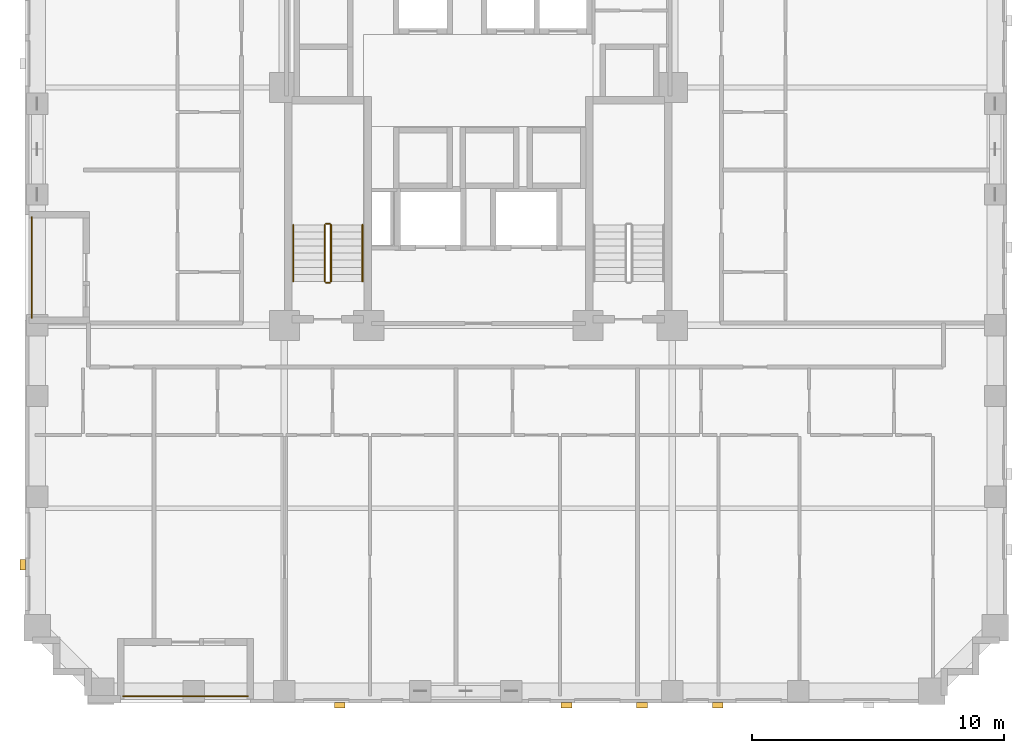
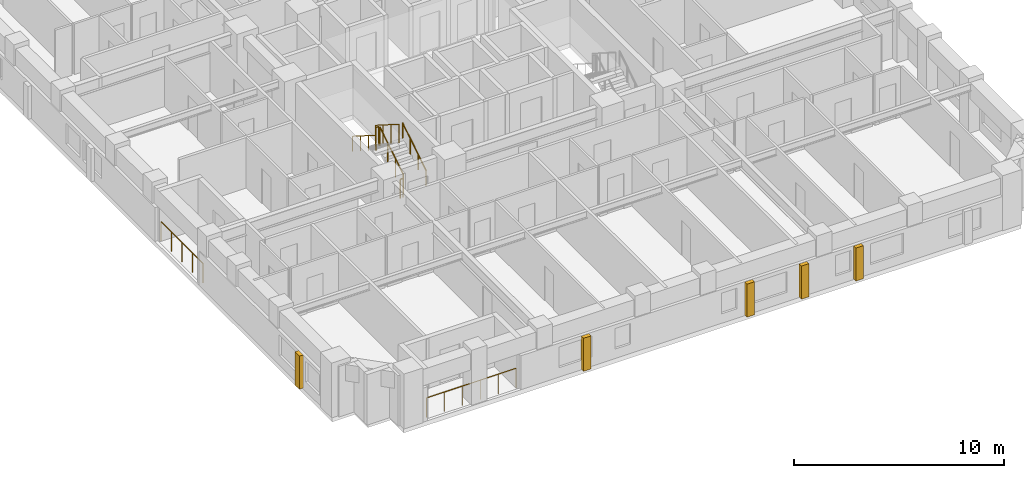
# One storey, part 12 of 14: 8 railings, 5 coverings.
"""IFC4 building model written with IfcOpenShell, lengths in metres."""

from ifc_helpers import new_model, si_unit, derived_unit, direction, frame, origin, origin_2d, place, context, subcontext, project, spatial, rectangle, circle, extrude, material, layer, layer_set, type_object, element, save


model = new_model("IFC4")

# Units and contexts
model_context = context("Model", 3, precision=1e-05, world=origin(), true_north=direction((0.0, 1.0)))
body_context = subcontext(model_context, "Body", "Model", "MODEL_VIEW")
ifc_project = project(units=[si_unit("LENGTHUNIT", "METRE"), si_unit("AREAUNIT", "SQUARE_METRE"), si_unit("VOLUMEUNIT", "CUBIC_METRE"), si_unit("PLANEANGLEUNIT", "RADIAN"), si_unit("MASSUNIT", "GRAM", prefix="KILO"), derived_unit("THERMALTRANSMITTANCEUNIT", [(si_unit("MASSUNIT", "GRAM", prefix="KILO"), 1), (si_unit("TIMEUNIT", "SECOND"), -3), (si_unit("THERMODYNAMICTEMPERATUREUNIT", "KELVIN"), -1)])], contexts=[model_context])

# Site, building, storey
site_placement = place(None, origin())
site = spatial("IfcSite", under=ifc_project, at=site_placement, CompositionType="ELEMENT")
building_placement = place(site_placement, origin())
building = spatial("IfcBuilding", under=site, at=building_placement, Name="Korrvale Station Residences", CompositionType="ELEMENT")
storey_placement = place(building_placement, frame((0.0, 0.0, 57.800048828125)))
storey = spatial("IfcBuildingStorey", under=building, at=storey_placement, Name="L15", CompositionType="ELEMENT", Elevation=57.800048828125)

# Coverings
ifc_material_1 = material(Name="Architectural precast concrete C45/55", Category="concrete")
ifc_layer = layer(ifc_material_1, 0.219970703125, Name="Architectural precast concrete C45/55")
ifc_layer_set = layer_set([ifc_layer], Name="Architectural precast concrete C45/55")
covering_type = type_object("IfcCoveringType", Name="COV-PIER-400", PredefinedType="CLADDING", material=ifc_layer_set)
for number, where, z_axis, x_axis, name in (
    (1, (35.0, -0.090087890625, 0.02490234375), (0.0, 0.0, 1.0), (1.0, 0.0, 0.0), "L15 Architectural Precast Facade Pier 02"),
    (2, (32.0, -0.090087890625, 0.02490234375), (0.0, 0.0, 1.0), (1.0, 0.0, 0.0), "L15 Architectural Precast Facade Pier 03"),
    (3, (29.0, -0.090087890625, 0.02490234375), (0.0, 0.0, 1.0), (1.0, 0.0, 0.0), "L15 Architectural Precast Facade Pier 04"),
    (4, (20.0, -0.090087890625, 0.02490234375), (0.0, 0.0, 1.0), (1.0, 0.0, 0.0), "L15 Architectural Precast Facade Pier 05"),
    (5, (7.409912109375, 5.5, 0.02490234375), (0.0, 0.0, 1.0), (0.0, 1.0, 0.0), "L15 Architectural Precast Facade Pier 12"),
):
    element("IfcCovering", number, at=place(storey_placement, frame(where, z_axis=z_axis, x_axis=x_axis)), inside=storey, type_object=covering_type, Name=name, PredefinedType="CLADDING", context=body_context, shape_type="SweptSolid", body=[
        extrude(rectangle(XDim=0.419921875, YDim=0.219970703125, at=origin_2d()), origin(), (0.0, 0.0, 1.0), 1.925048828125),
    ])

# Railings
ifc_material_2 = material(Name="Powder-coated aluminium picket loggia guard", Category="aluminium")
railing_type_1 = type_object("IfcRailingType", Name="RLG-BAL-1150", PredefinedType="GUARDRAIL", material=ifc_material_2)
railing_1_placement = place(storey_placement, frame((11.39990234375, 0.27001953125, 0.0)))
element("IfcRailing", 6, at=railing_1_placement, inside=storey, type_object=railing_type_1, Name="L15 Recessed Loggia Guardrail BAL-L15-S1", PredefinedType="GUARDRAIL", context=body_context, shape_type="SweptSolid", body=[
    extrude(circle(Radius=0.02392578125, at=origin_2d()), frame((0.0, 0.0, 1.1259765625), z_axis=(1.0, 0.0, 0.0), x_axis=(0.0, 1.0, 0.0)), (0.0, 0.0, 1.0), 4.9501953125),
    extrude(circle(Radius=0.02099609375, at=origin_2d()), origin(), (0.0, 0.0, 1.0), 1.101806640625),
    extrude(circle(Radius=0.02099609375, at=origin_2d()), frame((0.989990234375, 0.0, 0.0)), (0.0, 0.0, 1.0), 1.101806640625),
    extrude(circle(Radius=0.02099609375, at=origin_2d()), frame((1.97998046875, 0.0, 0.0)), (0.0, 0.0, 1.0), 1.101806640625),
    extrude(circle(Radius=0.02099609375, at=origin_2d()), frame((2.97021484375, 0.0, 0.0)), (0.0, 0.0, 1.0), 1.101806640625),
    extrude(circle(Radius=0.02099609375, at=origin_2d()), frame((3.960205078125, 0.0, 0.0)), (0.0, 0.0, 1.0), 1.101806640625),
    extrude(circle(Radius=0.02099609375, at=origin_2d()), frame((4.9501953125, 0.0, 0.0)), (0.0, 0.0, 1.0), 1.101806640625),
])
railing_2_placement = place(storey_placement, frame((7.77001953125, 15.300048828125, 0.0)))
element("IfcRailing", 7, at=railing_2_placement, inside=storey, type_object=railing_type_1, Name="L15 Recessed Loggia Guardrail BAL-L15-W1", PredefinedType="GUARDRAIL", context=body_context, shape_type="SweptSolid", body=[
    extrude(circle(Radius=0.02392578125, at=origin_2d()), frame((0.0, 0.0, 1.1259765625), z_axis=(0.0, 1.0, 0.0), x_axis=(-1.0, 0.0, 0.0)), (0.0, 0.0, 1.0), 4.0),
    extrude(circle(Radius=0.02099609375, at=origin_2d()), origin(), (0.0, 0.0, 1.0), 1.101806640625),
    extrude(circle(Radius=0.02099609375, at=origin_2d()), frame((0.0, 1.0, 0.0)), (0.0, 0.0, 1.0), 1.101806640625),
    extrude(circle(Radius=0.02099609375, at=origin_2d()), frame((0.0, 2.0, 0.0)), (0.0, 0.0, 1.0), 1.101806640625),
    extrude(circle(Radius=0.02099609375, at=origin_2d()), frame((0.0, 3.0, 0.0)), (0.0, 0.0, 1.0), 1.101806640625),
    extrude(circle(Radius=0.02099609375, at=origin_2d()), frame((0.0, 4.0, 0.0)), (0.0, 0.0, 1.0), 1.101806640625),
])
ifc_material_3 = material(Name="Brushed stainless-steel continuous stair handrail", Category="steel")
railing_type_2 = type_object("IfcRailingType", Name="RLG-SHND-900", PredefinedType="HANDRAIL", material=ifc_material_3)
railing_3_placement = place(storey_placement, frame((20.89990234375, 16.75, 0.177734375)))
element("IfcRailing", 8, at=railing_3_placement, inside=storey, type_object=railing_type_2, Name="L15 ST-1 stair handrail 1", PredefinedType="HANDRAIL", context=body_context, shape_type="SweptSolid", body=[
    extrude(circle(Radius=0.02392578125, at=origin_2d()), frame((0.0, 0.0, 0.8759765625), z_axis=(0.0, 0.8442293374, 0.53598211339), x_axis=(-1.0, 0.0, 0.0)), (0.0, 0.0, 1.0), 2.6533203125),
    extrude(circle(Radius=0.02099609375, at=origin_2d()), origin(), (0.0, 0.0, 1.0), 0.851806640625),
    extrude(circle(Radius=0.02099609375, at=origin_2d()), frame((0.0, 0.74658203125, 0.47412109375)), (0.0, 0.0, 1.0), 0.851806640625),
    extrude(circle(Radius=0.02099609375, at=origin_2d()), frame((0.0, 1.493408203125, 0.947998046875)), (0.0, 0.0, 1.0), 0.851806640625),
    extrude(circle(Radius=0.02099609375, at=origin_2d()), frame((0.0, 2.239990234375, 1.422119140625)), (0.0, 0.0, 1.0), 0.851806640625),
])
railing_4_placement = place(storey_placement, frame((18.14990234375, 18.989990234375, 1.77783203125)))
element("IfcRailing", 9, at=railing_4_placement, inside=storey, type_object=railing_type_2, Name="L15 ST-1 stair handrail 2", PredefinedType="HANDRAIL", context=body_context, shape_type="SweptSolid", body=[
    extrude(circle(Radius=0.02392578125, at=origin_2d()), frame((0.0, 0.0, 0.8759765625), z_axis=(0.0, -0.8442293374, 0.53598211339), x_axis=(1.0, 0.0, 0.0)), (0.0, 0.0, 1.0), 2.6533203125),
    extrude(circle(Radius=0.02099609375, at=origin_2d()), origin(), (0.0, 0.0, 1.0), 0.851806640625),
    extrude(circle(Radius=0.02099609375, at=origin_2d()), frame((0.0, -0.74658203125, 0.47412109375)), (0.0, 0.0, 1.0), 0.851806640625),
    extrude(circle(Radius=0.02099609375, at=origin_2d()), frame((0.0, -1.493408203125, 0.947998046875)), (0.0, 0.0, 1.0), 0.851806640625),
    extrude(circle(Radius=0.02099609375, at=origin_2d()), frame((0.0, -2.239990234375, 1.422119140625)), (0.0, 0.0, 1.0), 0.851806640625),
])
ifc_material_4 = material(Name="Galvanised painted tubular steel stair guard", Category="steel")
railing_type_3 = type_object("IfcRailingType", Name="RLG-STR-1100", PredefinedType="GUARDRAIL", material=ifc_material_4)
railing_5_placement = place(storey_placement, frame((19.64990234375, 16.75, 0.177734375)))
element("IfcRailing", 10, at=railing_5_placement, inside=storey, type_object=railing_type_3, Name="L15 ST-1 stair guard 1", PredefinedType="GUARDRAIL", context=body_context, shape_type="SweptSolid", body=[
    extrude(circle(Radius=0.02392578125, at=origin_2d()), frame((0.0, 0.0, 1.076171875), z_axis=(0.0, 0.8442293374, 0.53598211339), x_axis=(-1.0, 0.0, 0.0)), (0.0, 0.0, 1.0), 2.6533203125),
    extrude(circle(Radius=0.02099609375, at=origin_2d()), origin(), (0.0, 0.0, 1.0), 1.052001953125),
    extrude(circle(Radius=0.02099609375, at=origin_2d()), frame((0.0, 0.74658203125, 0.47412109375)), (0.0, 0.0, 1.0), 1.052001953125),
    extrude(circle(Radius=0.02099609375, at=origin_2d()), frame((0.0, 1.493408203125, 0.947998046875)), (0.0, 0.0, 1.0), 1.052001953125),
    extrude(circle(Radius=0.02099609375, at=origin_2d()), frame((0.0, 2.239990234375, 1.422119140625)), (0.0, 0.0, 1.0), 1.052001953125),
])
railing_6_placement = place(storey_placement, frame((19.60009765625, 19.0400390625, 1.599853515625)))
element("IfcRailing", 11, at=railing_6_placement, inside=storey, type_object=railing_type_3, Name="L15 ST-1 stair guard 2", PredefinedType="GUARDRAIL", context=body_context, shape_type="SweptSolid", body=[
    extrude(circle(Radius=0.02392578125, at=origin_2d()), frame((0.0, 0.0, 1.076171875), z_axis=(-1.0, 0.0, 0.0), x_axis=(0.0, -1.0, 0.0)), (0.0, 0.0, 1.0), 0.150146484375),
    extrude(circle(Radius=0.02099609375, at=origin_2d()), origin(), (0.0, 0.0, 1.0), 1.052001953125),
    extrude(circle(Radius=0.02099609375, at=origin_2d()), frame((-0.150146484375, 0.0, 0.0)), (0.0, 0.0, 1.0), 1.052001953125),
])
railing_7_placement = place(storey_placement, frame((19.39990234375, 18.989990234375, 1.77783203125)))
element("IfcRailing", 12, at=railing_7_placement, inside=storey, type_object=railing_type_3, Name="L15 ST-1 stair guard 3", PredefinedType="GUARDRAIL", context=body_context, shape_type="SweptSolid", body=[
    extrude(circle(Radius=0.02392578125, at=origin_2d()), frame((0.0, 0.0, 1.076171875), z_axis=(0.0, -0.8442293374, 0.53598211339), x_axis=(1.0, 0.0, 0.0)), (0.0, 0.0, 1.0), 2.6533203125),
    extrude(circle(Radius=0.02099609375, at=origin_2d()), origin(), (0.0, 0.0, 1.0), 1.052001953125),
    extrude(circle(Radius=0.02099609375, at=origin_2d()), frame((0.0, -0.74658203125, 0.47412109375)), (0.0, 0.0, 1.0), 1.052001953125),
    extrude(circle(Radius=0.02099609375, at=origin_2d()), frame((0.0, -1.493408203125, 0.947998046875)), (0.0, 0.0, 1.0), 1.052001953125),
    extrude(circle(Radius=0.02099609375, at=origin_2d()), frame((0.0, -2.239990234375, 1.422119140625)), (0.0, 0.0, 1.0), 1.052001953125),
])
railing_8_placement = place(storey_placement, frame((19.60009765625, 16.699951171875, 0.0)))
element("IfcRailing", 13, at=railing_8_placement, inside=storey, type_object=railing_type_3, Name="L15 ST-1 stair guard 4", PredefinedType="GUARDRAIL", context=body_context, shape_type="SweptSolid", body=[
    extrude(circle(Radius=0.02392578125, at=origin_2d()), frame((0.0, 0.0, 1.076171875), z_axis=(-1.0, 0.0, 0.0), x_axis=(0.0, -1.0, 0.0)), (0.0, 0.0, 1.0), 0.150146484375),
    extrude(circle(Radius=0.02099609375, at=origin_2d()), origin(), (0.0, 0.0, 1.0), 1.052001953125),
    extrude(circle(Radius=0.02099609375, at=origin_2d()), frame((-0.150146484375, 0.0, 0.0)), (0.0, 0.0, 1.0), 1.052001953125),
])

save(model, "model.ifc")
